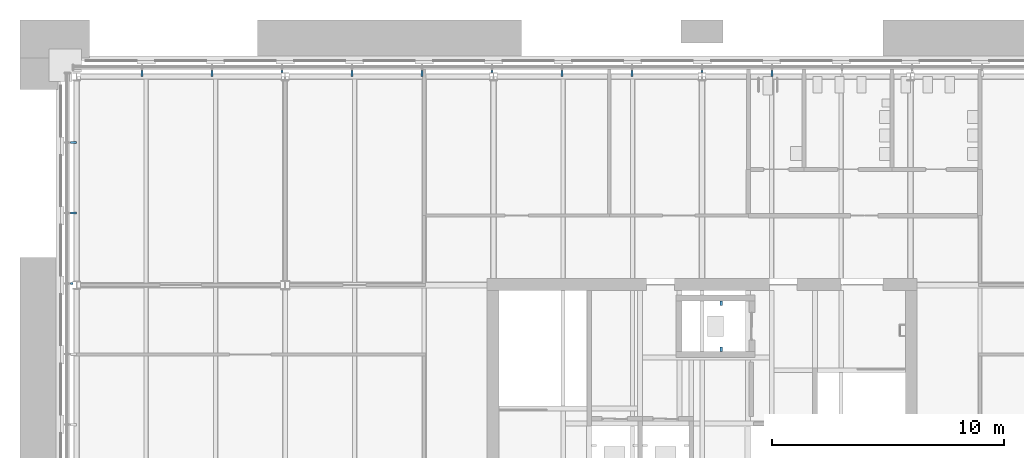
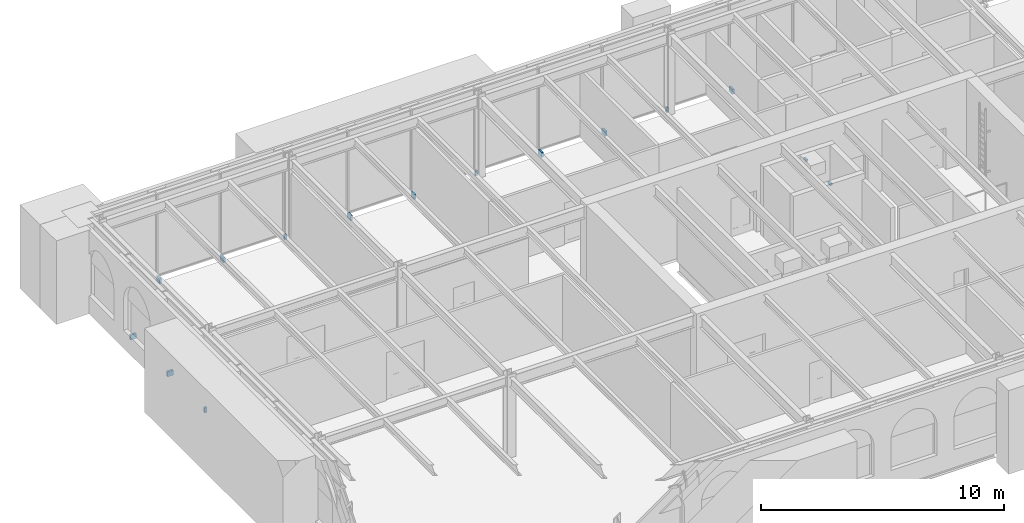
# One storey, part 18 of 24: 15 discrete accessories.
"""IFC4 building model written with IfcOpenShell, lengths in metres."""

from ifc_helpers import new_model, si_unit, direction, frame, origin, origin_2d, place, context, subcontext, project, spatial, rectangle, extrude, material, type_object, element, save


model = new_model("IFC4")

# Units and contexts
model_context = context("Model", 3, precision=1e-05, world=origin(), true_north=direction((0.0, 1.0)))
body_context = subcontext(model_context, "Body", "Model", "MODEL_VIEW")
ifc_project = project(units=[si_unit("LENGTHUNIT", "METRE"), si_unit("AREAUNIT", "SQUARE_METRE"), si_unit("VOLUMEUNIT", "CUBIC_METRE"), si_unit("PLANEANGLEUNIT", "RADIAN"), si_unit("MASSUNIT", "GRAM", prefix="KILO")], contexts=[model_context])

# Site, building, storey
site_placement = place(None, origin())
site = spatial("IfcSite", under=ifc_project, at=site_placement, CompositionType="ELEMENT")
building_placement = place(site_placement, origin())
building = spatial("IfcBuilding", under=site, at=building_placement, Name="Baradari Gate Terminus", CompositionType="ELEMENT")
storey_placement = place(building_placement, frame((0.0, 0.0, 32.699951171875)))
storey = spatial("IfcBuildingStorey", under=building, at=storey_placement, Name="L07", CompositionType="ELEMENT", Elevation=32.699951171875)

# Discrete accessories
ifc_material_1 = material(Name="Aluminium 6063-T6", Category="aluminium")
discrete_accessory_type_1 = type_object("IfcDiscreteAccessoryType", Name="Curtain wall bracket BK-1 100x250", PredefinedType="BRACKET", material=ifc_material_1)
discrete_accessory_1_placement = place(storey_placement, frame((39.022216796875, 144.135009765625, -0.1298828125), z_axis=(0.0, 0.0, 1.0), x_axis=(0.0, 1.0, 0.0)))
element("IfcDiscreteAccessory", 1, at=discrete_accessory_1_placement, inside=storey, type_object=discrete_accessory_type_1, Name="Curtain wall bracket L07/TN mullion 9", PredefinedType="BRACKET", context=body_context, shape_type="SweptSolid", body=[
    extrude(rectangle(XDim=0.27001953125, YDim=0.10009765625, at=origin_2d()), origin(), (0.0, 0.0, 1.0), 0.25),
])
discrete_accessory_2_placement = place(storey_placement, frame((36.0, 144.219970703125, -0.099853515625), z_axis=(0.0, 0.0, 1.0), x_axis=(0.0, 1.0, 0.0)))
element("IfcDiscreteAccessory", 2, at=discrete_accessory_2_placement, inside=storey, type_object=discrete_accessory_type_1, Name="Curtain wall bracket L07/TN mullion 10", PredefinedType="BRACKET", context=body_context, shape_type="SweptSolid", body=[
    extrude(rectangle(XDim=0.10009765625, YDim=0.10009765625, at=origin_2d()), origin(), (0.0, 0.0, 1.0), 0.25),
])
for number, where, z_axis, x_axis, name in (
    (3, (32.977783203125, 144.135009765625, -0.1298828125), (0.0, 0.0, 1.0), (0.0, 1.0, 0.0), "Curtain wall bracket L07/TN mullion 11"),
    (4, (29.95556640625, 144.135009765625, -0.1298828125), (0.0, 0.0, 1.0), (0.0, 1.0, 0.0), "Curtain wall bracket L07/TN mullion 12"),
):
    element("IfcDiscreteAccessory", number, at=place(storey_placement, frame(where, z_axis=z_axis, x_axis=x_axis)), inside=storey, type_object=discrete_accessory_type_1, Name=name, PredefinedType="BRACKET", context=body_context, shape_type="SweptSolid", body=[
        extrude(rectangle(XDim=0.27001953125, YDim=0.10009765625, at=origin_2d()), origin(), (0.0, 0.0, 1.0), 0.25),
    ])
discrete_accessory_3_placement = place(storey_placement, frame((26.933349609375, 144.219970703125, -0.099853515625), z_axis=(0.0, 0.0, 1.0), x_axis=(0.0, 1.0, 0.0)))
element("IfcDiscreteAccessory", 5, at=discrete_accessory_3_placement, inside=storey, type_object=discrete_accessory_type_1, Name="Curtain wall bracket L07/TN mullion 13", PredefinedType="BRACKET", context=body_context, shape_type="SweptSolid", body=[
    extrude(rectangle(XDim=0.10009765625, YDim=0.10009765625, at=origin_2d()), origin(), (0.0, 0.0, 1.0), 0.25),
])
for number, where, z_axis, x_axis, name in (
    (6, (23.9111328125, 144.135009765625, -0.1298828125), (0.0, 0.0, 1.0), (0.0, 1.0, 0.0), "Curtain wall bracket L07/TN mullion 14"),
    (7, (20.888916015625, 144.135009765625, -0.1298828125), (0.0, 0.0, 1.0), (0.0, 1.0, 0.0), "Curtain wall bracket L07/TN mullion 15"),
):
    element("IfcDiscreteAccessory", number, at=place(storey_placement, frame(where, z_axis=z_axis, x_axis=x_axis)), inside=storey, type_object=discrete_accessory_type_1, Name=name, PredefinedType="BRACKET", context=body_context, shape_type="SweptSolid", body=[
        extrude(rectangle(XDim=0.27001953125, YDim=0.10009765625, at=origin_2d()), origin(), (0.0, 0.0, 1.0), 0.25),
    ])
discrete_accessory_4_placement = place(storey_placement, frame((17.86669921875, 144.219970703125, -0.1298828125), z_axis=(0.0, 0.0, 1.0), x_axis=(0.0, 1.0, 0.0)))
element("IfcDiscreteAccessory", 8, at=discrete_accessory_4_placement, inside=storey, type_object=discrete_accessory_type_1, Name="Curtain wall bracket L07/TN mullion 16", PredefinedType="BRACKET", context=body_context, shape_type="SweptSolid", body=[
    extrude(rectangle(XDim=0.10009765625, YDim=0.10009765625, at=origin_2d()), origin(), (0.0, 0.0, 1.0), 0.25),
])
for number, where, z_axis, x_axis, name in (
    (9, (14.844482421875, 144.135009765625, -0.1298828125), (0.0, 0.0, 1.0), (0.0, 1.0, 0.0), "Curtain wall bracket L07/TN mullion 17"),
    (10, (11.822265625, 144.135009765625, -0.1298828125), (0.0, 0.0, 1.0), (0.0, 1.0, 0.0), "Curtain wall bracket L07/TN mullion 18"),
    (11, (8.864990234375, 141.155517578125, -0.1298828125), (0.0, 0.0, 1.0), (-1.0, 0.0, 0.0), "Curtain wall bracket L07/TW mullion 2"),
    (12, (8.864990234375, 138.111083984375, -0.1298828125), (0.0, 0.0, 1.0), (-1.0, 0.0, 0.0), "Curtain wall bracket L07/TW mullion 3"),
):
    element("IfcDiscreteAccessory", number, at=place(storey_placement, frame(where, z_axis=z_axis, x_axis=x_axis)), inside=storey, type_object=discrete_accessory_type_1, Name=name, PredefinedType="BRACKET", context=body_context, shape_type="SweptSolid", body=[
        extrude(rectangle(XDim=0.27001953125, YDim=0.10009765625, at=origin_2d()), origin(), (0.0, 0.0, 1.0), 0.25),
    ])
discrete_accessory_5_placement = place(storey_placement, frame((8.786376953125, 135.066650390625, -0.099853515625), z_axis=(0.0, 0.0, 1.0), x_axis=(-1.0, 0.0, 0.0)))
element("IfcDiscreteAccessory", 13, at=discrete_accessory_5_placement, inside=storey, type_object=discrete_accessory_type_1, Name="Curtain wall bracket L07/TW mullion 4", PredefinedType="BRACKET", context=body_context, shape_type="SweptSolid", body=[
    extrude(rectangle(XDim=0.11279296875, YDim=0.10009765625, at=origin_2d()), origin(), (0.0, 0.0, 1.0), 0.25),
])
ifc_material_2 = material(Name="Steel S355", Category="steel")
discrete_accessory_type_2 = type_object("IfcDiscreteAccessoryType", Name="Lift rail bracket RB-L1 100x100", PredefinedType="BRACKET", material=ifc_material_2)
for number, where, z_axis, x_axis, name in (
    (14, (36.824951171875, 132.22998046875, 3.25), (0.0, 0.0, 1.0), (1.0, 0.0, 0.0), "Lift rail bracket LT3 1B"),
    (15, (36.824951171875, 134.219970703125, 3.25), (0.0, 0.0, 1.0), (1.0, 0.0, 0.0), "Lift rail bracket LT3 2B"),
):
    element("IfcDiscreteAccessory", number, at=place(storey_placement, frame(where, z_axis=z_axis, x_axis=x_axis)), inside=storey, type_object=discrete_accessory_type_2, Name=name, PredefinedType="BRACKET", context=body_context, shape_type="SweptSolid", body=[
        extrude(rectangle(XDim=0.10009765625, YDim=0.2099609375, at=origin_2d()), origin(), (0.0, 0.0, 1.0), 0.10009765625),
    ])

save(model, "model.ifc")
